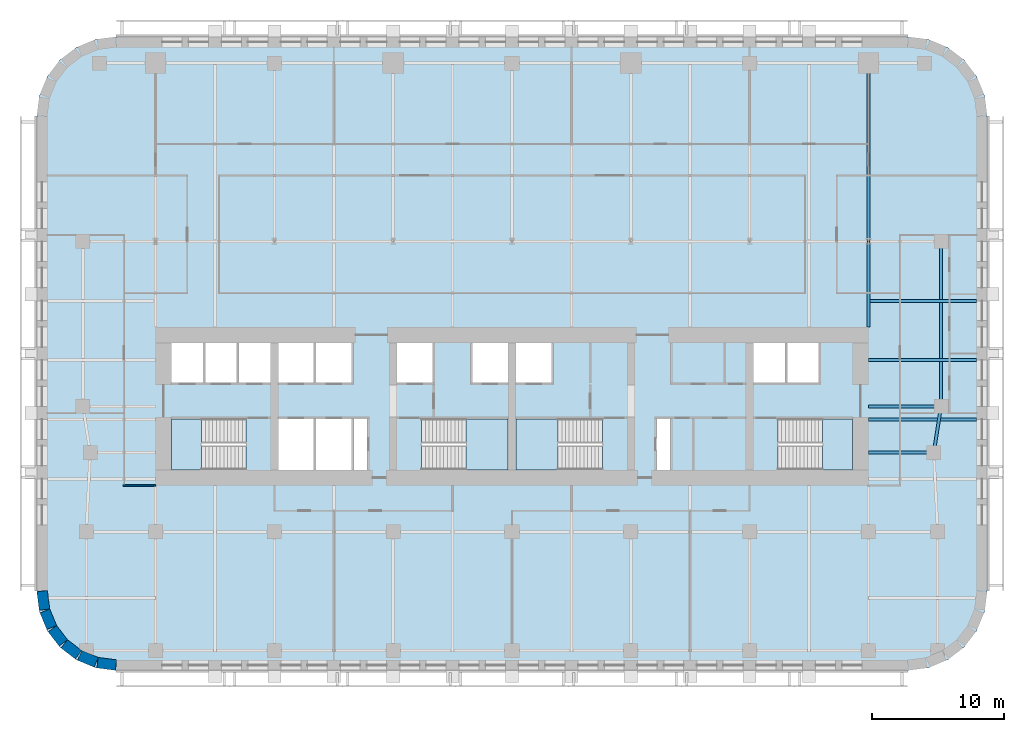
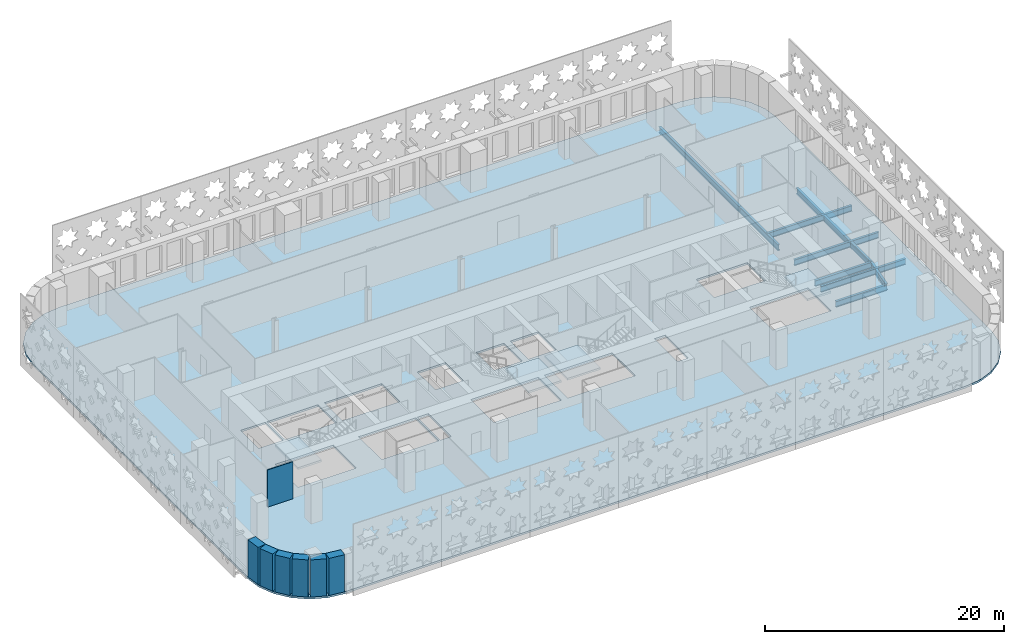
# One storey, part 2 of 15: 9 beams, 7 walls, 5 slabs, 4 elements without a shape of their own.
"""IFC4 building model written with IfcOpenShell, lengths in metres."""

from ifc_helpers import new_model, si_unit, direction, frame, frame_2d, origin, origin_2d, place, context, subcontext, project, spatial, polyline, rectangle, i_section, outline, extrude, material, layer, layer_set, material_profile, profile_set, type_object, element, aggregate, save


model = new_model("IFC4")

# Units and contexts
model_context = context("Model", 3, precision=1e-05, world=origin(), true_north=direction((0.0, 1.0)))
body_context = subcontext(model_context, "Body", "Model", "MODEL_VIEW")
ifc_project = project(units=[si_unit("LENGTHUNIT", "METRE"), si_unit("AREAUNIT", "SQUARE_METRE"), si_unit("VOLUMEUNIT", "CUBIC_METRE"), si_unit("PLANEANGLEUNIT", "RADIAN"), si_unit("MASSUNIT", "GRAM", prefix="KILO")], contexts=[model_context])

# Site, building, storey
site_placement = place(None, origin())
site = spatial("IfcSite", under=ifc_project, at=site_placement, CompositionType="ELEMENT")
building_placement = place(site_placement, origin())
building = spatial("IfcBuilding", under=site, at=building_placement, Name="Zellij Exchange Tower", CompositionType="ELEMENT")
storey_placement = place(building_placement, frame((0.0, 0.0, 92.5)))
storey = spatial("IfcBuildingStorey", under=building, at=storey_placement, Name="L19", CompositionType="ELEMENT", Elevation=92.5)

# Beams
ifc_material_1 = material(Name="Structural steel ASTM A992 Gr 50", Category="steel")
ifc_material_profile_1 = material_profile(ifc_material_1, i_section(OverallWidth=0.227783203125, OverallDepth=0.60205078125, WebThickness=0.010498046875, FlangeThickness=0.014892578125, at=origin_2d()), Name="W24x68")
ifc_profile_set_1 = profile_set([ifc_material_profile_1], Name="Structural steel ASTM A992 Gr 50")
beam_type_1 = type_object("IfcBeamType", Name="STR-BEAM W24x68", PredefinedType="BEAM", material=ifc_profile_set_1)
for number, where, z_axis, x_axis, name in (
    (1, (27.0, -9.0, -0.5009765625), (1.0, 0.0, 0.0), (0.0, 1.0, 0.0), "B5"),
    (2, (27.0, -4.5, -0.5009765625), (1.0, 0.0, 0.0), (0.0, 1.0, 0.0), "B5"),
    (3, (27.0, 0.0, -0.5009765625), (1.0, 0.0, 0.0), (0.0, 1.0, 0.0), "B5"),
):
    element("IfcBeam", number, at=place(storey_placement, frame(where, z_axis=z_axis, x_axis=x_axis)), inside=storey, type_object=beam_type_1, Name=name, PredefinedType="BEAM", context=body_context, shape_type="SweptSolid", body=[
        extrude(i_section(OverallWidth=0.227783203125, OverallDepth=0.60205078125, WebThickness=0.010498046875, FlangeThickness=0.014892578125, at=origin_2d()), origin(), (0.0, 0.0, 1.0), 8.199951171875),
    ])
ifc_material_profile_2 = material_profile(ifc_material_1, i_section(OverallWidth=0.22900390625, OverallDepth=0.612060546875, WebThickness=0.011962890625, FlangeThickness=0.01953125, at=origin_2d()), Name="W24x84")
ifc_profile_set_2 = profile_set([ifc_material_profile_2], Name="Structural steel ASTM A992 Gr 50")
beam_type_2 = type_object("IfcBeamType", Name="STR-EDGE GIRDER W24x84", PredefinedType="BEAM", material=ifc_profile_set_2)
beam_1_placement = place(storey_placement, frame((31.949951171875, -11.5, -0.506103515625), z_axis=(0.155251283593, 0.987875011802, 0.0), x_axis=(-0.987875011802, 0.155251283593, 0.0)))
element("IfcBeam", 4, at=beam_1_placement, inside=storey, type_object=beam_type_2, Name="EB6", PredefinedType="BEAM", context=body_context, shape_type="SweptSolid", body=[
    extrude(i_section(OverallWidth=0.22900390625, OverallDepth=0.612060546875, WebThickness=0.011962890625, FlangeThickness=0.01953125, at=origin_2d()), origin(), (0.0, 0.0, 1.0), 3.54296875),
])
beam_2_placement = place(storey_placement, frame((32.5, -8.0, -0.506103515625), z_axis=(0.0, 1.0, 0.0), x_axis=(-1.0, 0.0, 0.0)))
element("IfcBeam", 5, at=beam_2_placement, inside=storey, type_object=beam_type_2, Name="EB6", PredefinedType="BEAM", context=body_context, shape_type="SweptSolid", body=[
    extrude(i_section(OverallWidth=0.22900390625, OverallDepth=0.612060546875, WebThickness=0.011962890625, FlangeThickness=0.01953125, at=origin_2d()), origin(), (0.0, 0.0, 1.0), 12.5),
])
ifc_material_profile_3 = material_profile(ifc_material_1, i_section(OverallWidth=0.22900390625, OverallDepth=0.612060546875, WebThickness=0.011962890625, FlangeThickness=0.01953125, at=origin_2d()), Name="W24x84")
ifc_profile_set_3 = profile_set([ifc_material_profile_3], Name="Structural steel ASTM A992 Gr 50")
beam_type_3 = type_object("IfcBeamType", Name="STR-GIRDER W24x84", PredefinedType="BEAM", material=ifc_profile_set_3)
beam_3_placement = place(storey_placement, frame((27.0, -11.5, -0.506103515625), z_axis=(1.0, 0.0, 0.0), x_axis=(0.0, 1.0, 0.0)))
element("IfcBeam", 6, at=beam_3_placement, inside=storey, type_object=beam_type_3, Name="G4", PredefinedType="BEAM", context=body_context, shape_type="SweptSolid", body=[
    extrude(i_section(OverallWidth=0.22900390625, OverallDepth=0.612060546875, WebThickness=0.011962890625, FlangeThickness=0.01953125, at=origin_2d()), origin(), (0.0, 0.0, 1.0), 4.949951171875),
])
beam_4_placement = place(storey_placement, frame((27.0, -8.0, -0.506103515625), z_axis=(1.0, 0.0, 0.0), x_axis=(0.0, 1.0, 0.0)))
element("IfcBeam", 7, at=beam_4_placement, inside=storey, type_object=beam_type_3, Name="G4", PredefinedType="BEAM", context=body_context, shape_type="SweptSolid", body=[
    extrude(i_section(OverallWidth=0.22900390625, OverallDepth=0.612060546875, WebThickness=0.011962890625, FlangeThickness=0.01953125, at=origin_2d()), origin(), (0.0, 0.0, 1.0), 5.5),
])
beam_5_placement = place(storey_placement, frame((27.0, -2.0, -0.506103515625), z_axis=(0.0, 1.0, 0.0), x_axis=(-1.0, 0.0, 0.0)))
element("IfcBeam", 8, at=beam_5_placement, inside=storey, type_object=beam_type_3, Name="G4", PredefinedType="BEAM", context=body_context, shape_type="SweptSolid", body=[
    extrude(i_section(OverallWidth=0.22900390625, OverallDepth=0.612060546875, WebThickness=0.011962890625, FlangeThickness=0.01953125, at=origin_2d()), origin(), (0.0, 0.0, 1.0), 6.5),
])
beam_6_placement = place(storey_placement, frame((27.0, 4.5, -0.506103515625), z_axis=(0.0, 1.0, 0.0), x_axis=(-1.0, 0.0, 0.0)))
element("IfcBeam", 9, at=beam_6_placement, inside=storey, type_object=beam_type_3, Name="G4", PredefinedType="BEAM", context=body_context, shape_type="SweptSolid", body=[
    extrude(i_section(OverallWidth=0.22900390625, OverallDepth=0.612060546875, WebThickness=0.011962890625, FlangeThickness=0.01953125, at=origin_2d()), origin(), (0.0, 0.0, 1.0), 13.5),
])

# Stair, slab
ifc_material_2 = material(Name="Concrete C40/50", Category="concrete")
stair_type = type_object("IfcStairType", Name="CORE-ST exit stair 1850 wide", PredefinedType="HALF_TURN_STAIR", material=ifc_material_2)
stair_1_placement = place(storey_placement, origin())
stair_1 = element("IfcStair", 10, at=stair_1_placement, inside=storey, type_object=stair_type, Name="L19 exit stair ST1", PredefinedType="HALF_TURN_STAIR")
ifc_layer_1 = layer(ifc_material_2, 0.199951171875)
ifc_layer_set_1 = layer_set([ifc_layer_1], Name="Concrete C40/50")
slab_type_1 = type_object("IfcSlabType", Name="CORE-SL stair landing 200", PredefinedType="LANDING", material=ifc_layer_set_1)
slab_1_placement = place(storey_placement, frame((0.0, 0.0, 1.800048828125)))
slab_1 = element("IfcSlab", 11, at=slab_1_placement, type_object=slab_type_1, Name="ST1 landing 1", PredefinedType="LANDING", context=body_context, shape_type="SweptSolid", body=[
    extrude(outline(polyline([(-23.510009765625, -8.949951171875), (-25.800048828125, -8.949951171875), (-25.800048828125, -12.800048828125), (-23.510009765625, -12.800048828125), (-23.510009765625, -8.949951171875)])), origin(), (0.0, 0.0, 1.0), 0.199951171875),
])
aggregate(stair_1, [slab_1])

stair_2_placement = place(storey_placement, origin())
stair_2 = element("IfcStair", 12, at=stair_2_placement, inside=storey, type_object=stair_type, Name="L19 exit stair ST2", PredefinedType="HALF_TURN_STAIR")
slab_2_placement = place(storey_placement, frame((0.0, 0.0, 1.800048828125)))
slab_2 = element("IfcSlab", 13, at=slab_2_placement, type_object=slab_type_1, Name="ST2 landing 1", PredefinedType="LANDING", context=body_context, shape_type="SweptSolid", body=[
    extrude(outline(polyline([(-3.489990234375, -12.800048828125), (-0.300048828125, -12.800048828125), (-0.300048828125, -8.949951171875), (-3.489990234375, -8.949951171875), (-3.489990234375, -12.800048828125)])), origin(), (0.0, 0.0, 1.0), 0.199951171875),
])
aggregate(stair_2, [slab_2])

stair_3_placement = place(storey_placement, origin())
stair_3 = element("IfcStair", 14, at=stair_3_placement, inside=storey, type_object=stair_type, Name="L19 exit stair ST3", PredefinedType="HALF_TURN_STAIR")
slab_3_placement = place(storey_placement, frame((0.0, 0.0, 1.800048828125)))
slab_3 = element("IfcSlab", 15, at=slab_3_placement, type_object=slab_type_1, Name="ST3 landing 1", PredefinedType="LANDING", context=body_context, shape_type="SweptSolid", body=[
    extrude(outline(polyline([(3.489990234375, -8.949951171875), (0.300048828125, -8.949951171875), (0.300048828125, -12.800048828125), (3.489990234375, -12.800048828125), (3.489990234375, -8.949951171875)])), origin(), (0.0, 0.0, 1.0), 0.199951171875),
])
aggregate(stair_3, [slab_3])

stair_4_placement = place(storey_placement, origin())
stair_4 = element("IfcStair", 16, at=stair_4_placement, inside=storey, type_object=stair_type, Name="L19 exit stair ST4", PredefinedType="HALF_TURN_STAIR")
slab_4_placement = place(storey_placement, frame((0.0, 0.0, 1.800048828125)))
slab_4 = element("IfcSlab", 17, at=slab_4_placement, type_object=slab_type_1, Name="ST4 landing 1", PredefinedType="LANDING", context=body_context, shape_type="SweptSolid", body=[
    extrude(outline(polyline([(23.510009765625, -12.800048828125), (25.800048828125, -12.800048828125), (25.800048828125, -8.949951171875), (23.510009765625, -8.949951171875), (23.510009765625, -12.800048828125)])), origin(), (0.0, 0.0, 1.0), 0.199951171875),
])
aggregate(stair_4, [slab_4])

# Slab
ifc_layer_2 = layer(ifc_material_2, 0.199951171875)
ifc_layer_set_2 = layer_set([ifc_layer_2], Name="Concrete C40/50")
slab_type_2 = type_object("IfcSlabType", Name="STR-FLOOR SLAB 200 C40/50", PredefinedType="FLOOR", material=ifc_layer_set_2)
slab_5_placement = place(storey_placement, frame((0.0, 0.0, -0.2001953125)))
element("IfcSlab", 18, at=slab_5_placement, inside=storey, type_object=slab_type_2, Name="Floor L19", PredefinedType="FLOOR", context=body_context, shape_type="SweptSolid", body=[
    extrude(outline(polyline([(-30.0, -28.0), (-31.552978515625, -27.795654296875), (-33.0, -27.1962890625), (-34.24267578125, -26.24267578125), (-35.1962890625, -25.0), (-35.795654296875, -23.552978515625), (-36.0, -22.0), (-36.0, 14.0), (-35.795654296875, 15.552978515625), (-35.1962890625, 17.0), (-34.24267578125, 18.24267578125), (-33.0, 19.1962890625), (-31.552978515625, 19.795654296875), (-30.0, 20.0), (30.0, 20.0), (31.552978515625, 19.795654296875), (33.0, 19.1962890625), (34.24267578125, 18.24267578125), (35.1962890625, 17.0), (35.795654296875, 15.552978515625), (36.0, 14.0), (36.0, -22.0), (35.795654296875, -23.552978515625), (35.1962890625, -25.0), (34.24267578125, -26.24267578125), (33.0, -27.1962890625), (31.552978515625, -27.795654296875), (30.0, -28.0), (-30.0, -28.0)]), holes=[polyline([(-25.800048828125, -8.949951171875), (-25.800048828125, -12.800048828125), (-20.153076171875, -12.800048828125), (-20.153076171875, -8.949951171875), (-25.800048828125, -8.949951171875)]), polyline([(-12.14990234375, -8.949951171875), (-17.699951171875, -8.949951171875), (-17.699951171875, -12.800048828125), (-12.14990234375, -12.800048828125), (-12.14990234375, -8.949951171875)]), polyline([(-10.949951171875, -8.949951171875), (-12.0, -8.949951171875), (-12.0, -12.800048828125), (-10.949951171875, -12.800048828125), (-10.949951171875, -8.949951171875)]), polyline([(-23.39990234375, -3.199951171875), (-25.800048828125, -3.199951171875), (-25.800048828125, -6.22509765625), (-23.39990234375, -6.22509765625), (-23.39990234375, -3.199951171875)]), polyline([(-18.300048828125, -3.199951171875), (-23.25, -3.199951171875), (-23.25, -6.22509765625), (-18.300048828125, -6.22509765625), (-18.300048828125, -3.199951171875)]), polyline([(-12.14990234375, -3.199951171875), (-17.699951171875, -3.199951171875), (-17.699951171875, -6.22509765625), (-12.14990234375, -6.22509765625), (-12.14990234375, -3.199951171875)]), polyline([(-6.0, -3.199951171875), (-8.699951171875, -3.199951171875), (-8.699951171875, -6.22509765625), (-6.0, -6.22509765625), (-6.0, -3.199951171875)]), polyline([(-6.846923828125, -8.949951171875), (-6.846923828125, -12.800048828125), (-0.300048828125, -12.800048828125), (-0.300048828125, -8.949951171875), (-6.846923828125, -8.949951171875)]), polyline([(6.846923828125, -8.949951171875), (0.300048828125, -8.949951171875), (0.300048828125, -12.800048828125), (6.846923828125, -12.800048828125), (6.846923828125, -8.949951171875)]), polyline([(12.0, -8.949951171875), (10.949951171875, -8.949951171875), (10.949951171875, -12.800048828125), (12.0, -12.800048828125), (12.0, -8.949951171875)]), polyline([(25.800048828125, -8.949951171875), (20.153076171875, -8.949951171875), (20.153076171875, -12.800048828125), (25.800048828125, -12.800048828125), (25.800048828125, -8.949951171875)]), polyline([(-0.300048828125, -3.199951171875), (-3.0, -3.199951171875), (-3.0, -6.22509765625), (-0.300048828125, -6.22509765625), (-0.300048828125, -3.199951171875)]), polyline([(3.0, -3.199951171875), (0.300048828125, -3.199951171875), (0.300048828125, -6.22509765625), (3.0, -6.22509765625), (3.0, -3.199951171875)]), polyline([(23.25, -3.199951171875), (18.300048828125, -3.199951171875), (18.300048828125, -6.22509765625), (23.25, -6.22509765625), (23.25, -3.199951171875)])]), origin(), (0.0, 0.0, 1.0), 0.2001953125),
])

# Walls
ifc_material_3 = material(Name="Precast concrete C40/50", Category="concrete")
ifc_layer_3 = layer(ifc_material_3, 0.800048828125)
ifc_layer_set_3 = layer_set([ifc_layer_3], Name="Precast concrete C40/50")
wall_type_1 = type_object("IfcWallType", Name="ENV-EW1 Precast stone-piered wall 800", PredefinedType="SOLIDWALL", material=ifc_layer_set_3)
wall_1_placement = place(storey_placement, frame((-35.5966796875, -21.999755859375, 0.0), z_axis=(0.0, 0.0, 1.0), x_axis=(0.130517283865, -0.99144603414, 0.0)))
element("IfcWall", 19, at=wall_1_placement, inside=storey, type_object=wall_type_1, Name="fac.L19.22", PredefinedType="SOLIDWALL", context=body_context, shape_type="SweptSolid", body=[
    extrude(rectangle(XDim=1.408447265625, YDim=0.800048828125, at=frame_2d((0.7041015625, 0.0))), origin(), (0.0, 0.0, 1.0), 3.800048828125),
])
wall_2_placement = place(storey_placement, frame((-35.3857421875, -23.497314453125, 0.0), z_axis=(0.0, 0.0, 1.0), x_axis=(0.38276009378, -0.923847774587, 0.0)))
element("IfcWall", 20, at=wall_2_placement, inside=storey, type_object=wall_type_1, Name="fac.L19.23", PredefinedType="SOLIDWALL", context=body_context, shape_type="SweptSolid", body=[
    extrude(rectangle(XDim=1.35546875, YDim=0.800048828125, at=frame_2d((0.677734375, 0.0))), origin(), (0.0, 0.0, 1.0), 3.800048828125),
])
for number, where, z_axis, x_axis, name in (
    (21, (-34.814697265625, -24.840087890625, 0.0), (0.0, 0.0, 1.0), (0.608866226366, -0.793272915452, 0.0), "fac.L19.24"),
    (22, (-33.91552734375, -25.9892578125, 0.0), (0.0, 0.0, 1.0), (0.793272915452, -0.608866226366, 0.0), "fac.L19.25"),
):
    element("IfcWall", number, at=place(storey_placement, frame(where, z_axis=z_axis, x_axis=x_axis)), inside=storey, type_object=wall_type_1, Name=name, PredefinedType="SOLIDWALL", context=body_context, shape_type="SweptSolid", body=[
        extrude(rectangle(XDim=1.355712890625, YDim=0.800048828125, at=frame_2d((0.677734375, 0.0))), origin(), (0.0, 0.0, 1.0), 3.800048828125),
    ])
wall_3_placement = place(storey_placement, frame((-32.74951171875, -26.866943359375, 0.0), z_axis=(0.0, 0.0, 1.0), x_axis=(0.923847774587, -0.38276009378, 0.0)))
element("IfcWall", 23, at=wall_3_placement, inside=storey, type_object=wall_type_1, Name="fac.L19.26", PredefinedType="SOLIDWALL", context=body_context, shape_type="SweptSolid", body=[
    extrude(rectangle(XDim=1.35546875, YDim=0.800048828125, at=frame_2d((0.677734375, 0.0))), origin(), (0.0, 0.0, 1.0), 3.800048828125),
])
wall_4_placement = place(storey_placement, frame((-31.396240234375, -27.412841796875, 0.0), z_axis=(0.0, 0.0, 1.0), x_axis=(0.99144603414, -0.130517283865, 0.0)))
element("IfcWall", 24, at=wall_4_placement, inside=storey, type_object=wall_type_1, Name="fac.L19.27", PredefinedType="SOLIDWALL", context=body_context, shape_type="SweptSolid", body=[
    extrude(rectangle(XDim=1.408447265625, YDim=0.800048828125, at=frame_2d((0.7041015625, 0.0))), origin(), (0.0, 0.0, 1.0), 3.800048828125),
])
ifc_material_4 = material(Name="Gypsum board partition on steel studs", Category="steel")
ifc_layer_4 = layer(ifc_material_4, 0.10009765625)
ifc_layer_set_4 = layer_set([ifc_layer_4], Name="Gypsum board partition on steel studs")
wall_type_2 = type_object("IfcWallType", Name="FIT-PARTITION-100", PredefinedType="PARTITIONING", material=ifc_layer_set_4)
wall_5_placement = place(storey_placement, frame((-29.449951171875, -14.0, 0.0), z_axis=(0.0, 0.0, 1.0), x_axis=(1.0, 0.0, 0.0)))
element("IfcWall", 25, at=wall_5_placement, inside=storey, type_object=wall_type_2, Name="FIT-PARTITION-100 013", PredefinedType="PARTITIONING", context=body_context, shape_type="SweptSolid", body=[
    extrude(rectangle(XDim=2.449951171875, YDim=0.10009765625, at=frame_2d((1.22509765625, 0.0))), origin(), (0.0, 0.0, 1.0), 3.800048828125),
])

save(model, "model.ifc")
